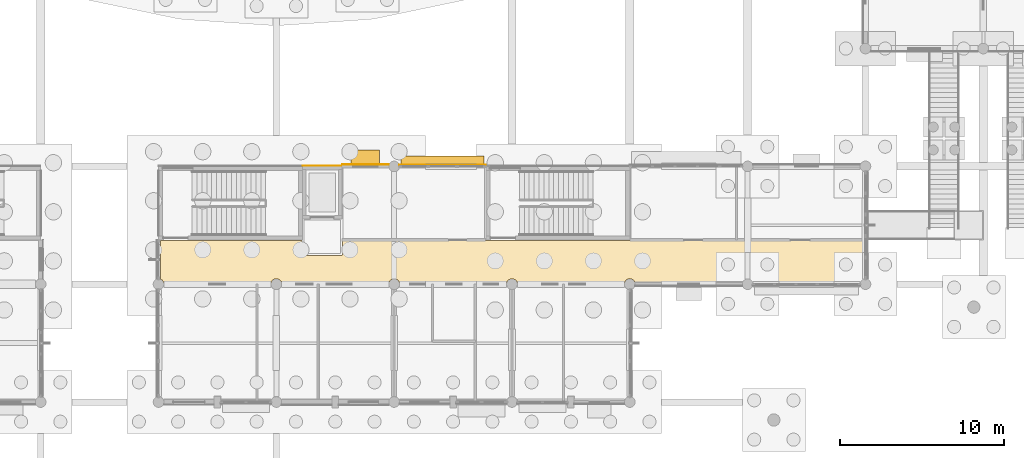
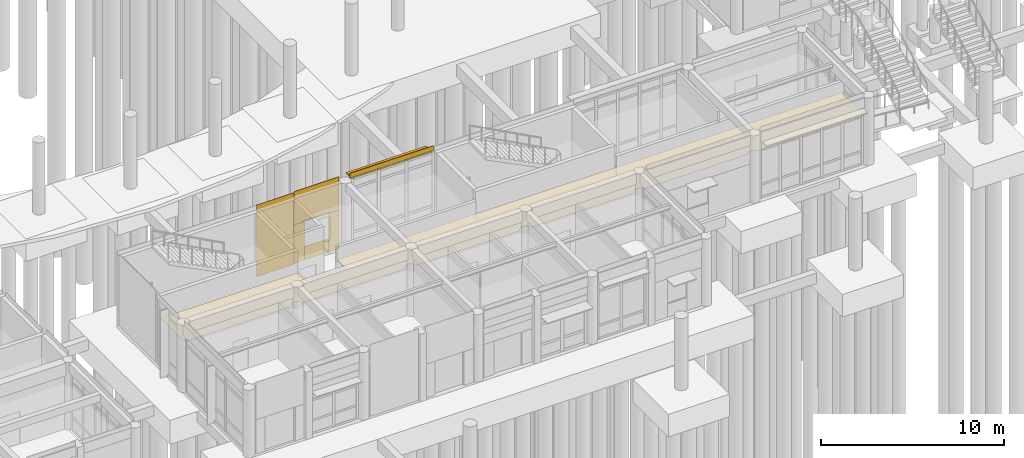
# One storey, part 85 of 103: 7 coverings, 2 shading devices.
"""IFC4 building model written with IfcOpenShell, lengths in metres."""

from ifc_helpers import new_model, si_unit, direction, frame, origin, origin_2d, place, context, subcontext, project, spatial, polyline, rectangle, outline, extrude, material, layer, layer_set, type_object, element, save


model = new_model("IFC4")

# Units and contexts
model_context = context("Model", 3, precision=1e-05, world=origin(), true_north=direction((0.0, 1.0)))
body_context = subcontext(model_context, "Body", "Model", "MODEL_VIEW")
ifc_project = project(units=[si_unit("LENGTHUNIT", "METRE"), si_unit("AREAUNIT", "SQUARE_METRE"), si_unit("VOLUMEUNIT", "CUBIC_METRE"), si_unit("PLANEANGLEUNIT", "RADIAN"), si_unit("MASSUNIT", "GRAM", prefix="KILO")], contexts=[model_context])

# Site, building, storey
site_placement = place(None, origin())
site = spatial("IfcSite", under=ifc_project, at=site_placement, CompositionType="ELEMENT")
building_placement = place(site_placement, origin())
building = spatial("IfcBuilding", under=site, at=building_placement, Name="Namkhue Oval Health Centre", CompositionType="ELEMENT")
storey_placement = place(building_placement, origin())
storey = spatial("IfcBuildingStorey", under=building, at=storey_placement, Name="L00", CompositionType="ELEMENT", Elevation=0.0)

# Covering
ifc_material_1 = material(Name="Acoustic mineral-fibre cleanroom ceiling", Category="gypsum")
ifc_layer_1 = layer(ifc_material_1, 0.02001953125)
ifc_layer_set_1 = layer_set([ifc_layer_1], Name="Acoustic mineral-fibre cleanroom ceiling")
covering_type_1 = type_object("IfcCoveringType", Name="ACOUSTIC CLEANROOM CEILING 20", PredefinedType="CEILING", material=ifc_layer_set_1)
covering_1_placement = place(storey_placement, frame((0.0, 0.0, 3.050048828125)))
element("IfcCovering", 1, at=covering_1_placement, inside=storey, type_object=covering_type_1, Name="Acoustic Ceiling L00-V5-C1 V5 Clinical Corridor", PredefinedType="CEILING", context=body_context, shape_type="SweptSolid", body=[
    extrude(outline(polyline([(115.52978515625, 21.639892578125), (115.523681640625, 21.686767578125), (115.489990234375, 21.767578125), (115.43701171875, 21.8369140625), (115.367431640625, 21.89013671875), (115.28662109375, 21.923583984375), (115.199951171875, 21.93505859375), (115.11328125, 21.923583984375), (115.032470703125, 21.89013671875), (114.963134765625, 21.8369140625), (114.909912109375, 21.767578125), (114.87646484375, 21.686767578125), (114.870361328125, 21.639892578125), (108.32958984375, 21.639892578125), (108.323486328125, 21.686767578125), (108.2900390625, 21.767578125), (108.23681640625, 21.8369140625), (108.16748046875, 21.89013671875), (108.086669921875, 21.923583984375), (108.0, 21.93505859375), (107.913330078125, 21.923583984375), (107.83251953125, 21.89013671875), (107.76318359375, 21.8369140625), (107.7099609375, 21.767578125), (107.676513671875, 21.686767578125), (107.67041015625, 21.639892578125), (101.129638671875, 21.639892578125), (101.12353515625, 21.686767578125), (101.090087890625, 21.767578125), (101.036865234375, 21.8369140625), (100.967529296875, 21.89013671875), (100.88671875, 21.923583984375), (100.800048828125, 21.93505859375), (100.71337890625, 21.923583984375), (100.632568359375, 21.89013671875), (100.56298828125, 21.8369140625), (100.510009765625, 21.767578125), (100.476318359375, 21.686767578125), (100.47021484375, 21.639892578125), (93.9296875, 21.639892578125), (93.923583984375, 21.686767578125), (93.89013671875, 21.767578125), (93.8369140625, 21.8369140625), (93.767578125, 21.89013671875), (93.72509765625, 21.90771484375), (93.72509765625, 24.260009765625), (102.360107421875, 24.260009765625), (102.360107421875, 23.39990234375), (102.363037109375, 23.384765625), (102.37158203125, 23.37158203125), (102.384765625, 23.363037109375), (102.39990234375, 23.360107421875), (104.800048828125, 23.360107421875), (104.815185546875, 23.363037109375), (104.833251953125, 23.377685546875), (104.840087890625, 23.39990234375), (104.840087890625, 24.260009765625), (136.675048828125, 24.260009765625), (136.675048828125, 21.90771484375), (136.632568359375, 21.89013671875), (136.56298828125, 21.8369140625), (136.510009765625, 21.767578125), (136.4921875, 21.72509765625), (129.90771484375, 21.72509765625), (129.89013671875, 21.767578125), (129.8369140625, 21.8369140625), (129.767578125, 21.89013671875), (129.686767578125, 21.923583984375), (129.60009765625, 21.93505859375), (129.51318359375, 21.923583984375), (129.4326171875, 21.89013671875), (129.363037109375, 21.8369140625), (129.309814453125, 21.767578125), (129.292236328125, 21.72509765625), (122.707763671875, 21.72509765625), (122.690185546875, 21.767578125), (122.636962890625, 21.8369140625), (122.5673828125, 21.89013671875), (122.48681640625, 21.923583984375), (122.39990234375, 21.93505859375), (122.313232421875, 21.923583984375), (122.232421875, 21.89013671875), (122.1630859375, 21.8369140625), (122.10986328125, 21.767578125), (122.076416015625, 21.686767578125), (122.0703125, 21.639892578125), (115.52978515625, 21.639892578125)])), origin(), (0.0, 0.0, 1.0), 0.02001953125),
])

# Shading devices
ifc_material_2 = material(Name="Anodised aluminium EN AW-6063 T6", Category="aluminium")
ifc_layer_2 = layer(ifc_material_2, 0.06005859375)
ifc_layer_set_2 = layer_set([ifc_layer_2], Name="Anodised aluminium EN AW-6063 T6")
shading_device_type_1 = type_object("IfcShadingDeviceType", Name="MONSOON SUN LOUVRE 900", PredefinedType="JALOUSIE", material=ifc_layer_set_2)
shading_device_1_placement = place(storey_placement, frame((106.240966796875, 29.35009765625, 2.580078125), z_axis=(0.0, 0.0, 1.0), x_axis=(-1.0, 0.0, 0.0)))
element("IfcShadingDevice", 2, at=shading_device_1_placement, inside=storey, type_object=shading_device_type_1, Name="Volume V5 L00 Window Monsoon Louvre 248", PredefinedType="JALOUSIE", context=body_context, shape_type="SweptSolid", body=[
    extrude(rectangle(XDim=1.739990234375, YDim=0.89990234375, at=origin_2d()), origin(), (0.0, 0.0, 1.0), 0.06005859375),
])
ifc_layer_3 = layer(ifc_material_2, 0.050048828125)
ifc_layer_set_3 = layer_set([ifc_layer_3], Name="Anodised aluminium EN AW-6063 T6")
shading_device_type_2 = type_object("IfcShadingDeviceType", Name="STORM SHUTTER LOUVRE 650", PredefinedType="SHUTTER", material=ifc_layer_set_3)
shading_device_2_placement = place(storey_placement, frame((110.958984375, 29.125, 4.425048828125), z_axis=(0.0, 0.0, 1.0), x_axis=(-1.0, 0.0, 0.0)))
element("IfcShadingDevice", 3, at=shading_device_2_placement, inside=storey, type_object=shading_device_type_2, Name="Volume V5 L00 Horizontal Monsoon Sun Louvre 247", PredefinedType="SHUTTER", context=body_context, shape_type="SweptSolid", body=[
    extrude(rectangle(XDim=5.077880859375, YDim=0.64990234375, at=origin_2d()), origin(), (0.0, 0.0, 1.0), 0.06005859375),
])

# Coverings
ifc_material_3 = material(Name="White glass-fibre reinforced concrete GRC rainscreen cladding", Category="concrete")
ifc_layer_4 = layer(ifc_material_3, 0.02490234375)
ifc_layer_set_4 = layer_set([ifc_layer_4], Name="White glass-fibre reinforced concrete GRC rainscreen cladding")
covering_type_2 = type_object("IfcCoveringType", Name="WHITE GRC RAINSCREEN CLADDING 25", PredefinedType="CLADDING", material=ifc_layer_set_4)
covering_2_placement = place(storey_placement, frame((110.958984375, 28.888427734375, 4.47998046875), z_axis=(0.0, 0.0, 1.0), x_axis=(-1.0, 0.0, 0.0)))
element("IfcCovering", 4, at=covering_2_placement, inside=storey, type_object=covering_type_2, Name="Volume V5 L00 Curtain Wall Spandrel Cladding 184", PredefinedType="CLADDING", context=body_context, shape_type="SweptSolid", body=[
    extrude(rectangle(XDim=5.26806640625, YDim=0.02490234375, at=origin_2d()), origin(), (0.0, 0.0, 1.0), 0.320068359375),
])
covering_3_placement = place(storey_placement, frame((106.240966796875, 28.922119140625, 2.5751953125), z_axis=(0.0, 0.0, 1.0), x_axis=(-1.0, 0.0, 0.0)))
element("IfcCovering", 5, at=covering_3_placement, inside=storey, type_object=covering_type_2, Name="Volume V5 L00 Facade 117 White GRC Cladding 1", PredefinedType="CLADDING", context=body_context, shape_type="SweptSolid", body=[
    extrude(rectangle(XDim=2.837890625, YDim=0.02490234375, at=origin_2d()), origin(), (0.0, 0.0, 1.0), 2.215087890625),
])
covering_4_placement = place(storey_placement, frame((107.3330078125, 28.922119140625, 0.010009765625), z_axis=(0.0, 0.0, 1.0), x_axis=(-1.0, 0.0, 0.0)))
element("IfcCovering", 6, at=covering_4_placement, inside=storey, type_object=covering_type_2, Name="Volume V5 L00 Facade 117 White GRC Cladding 2", PredefinedType="CLADDING", context=body_context, shape_type="SweptSolid", body=[
    extrude(rectangle(XDim=0.654052734375, YDim=0.02490234375, at=origin_2d()), origin(), (0.0, 0.0, 1.0), 2.56005859375),
])
covering_5_placement = place(storey_placement, frame((106.240966796875, 28.922119140625, 0.010009765625), z_axis=(0.0, 0.0, 1.0), x_axis=(-1.0, 0.0, 0.0)))
element("IfcCovering", 7, at=covering_5_placement, inside=storey, type_object=covering_type_2, Name="Volume V5 L00 Facade 117 White GRC Cladding 3", PredefinedType="CLADDING", context=body_context, shape_type="SweptSolid", body=[
    extrude(rectangle(XDim=1.52001953125, YDim=0.02490234375, at=origin_2d()), origin(), (0.0, 0.0, 1.0), 0.875),
])
covering_6_placement = place(storey_placement, frame((105.14892578125, 28.922119140625, 0.010009765625), z_axis=(0.0, 0.0, 1.0), x_axis=(-1.0, 0.0, 0.0)))
element("IfcCovering", 8, at=covering_6_placement, inside=storey, type_object=covering_type_2, Name="Volume V5 L00 Facade 117 White GRC Cladding 4", PredefinedType="CLADDING", context=body_context, shape_type="SweptSolid", body=[
    extrude(rectangle(XDim=0.654052734375, YDim=0.02490234375, at=origin_2d()), origin(), (0.0, 0.0, 1.0), 2.56005859375),
])
covering_7_placement = place(storey_placement, frame((103.60009765625, 28.8369140625, 0.009765625), z_axis=(0.0, 0.0, 1.0), x_axis=(-1.0, 0.0, 0.0)))
element("IfcCovering", 9, at=covering_7_placement, inside=storey, type_object=covering_type_2, Name="Lift LF-06 L00 N White GRC Cladding 1", PredefinedType="CLADDING", context=body_context, shape_type="SweptSolid", body=[
    extrude(rectangle(XDim=2.360107421875, YDim=0.02490234375, at=origin_2d()), origin(), (0.0, 0.0, 1.0), 4.780029296875),
])

save(model, "model.ifc")
